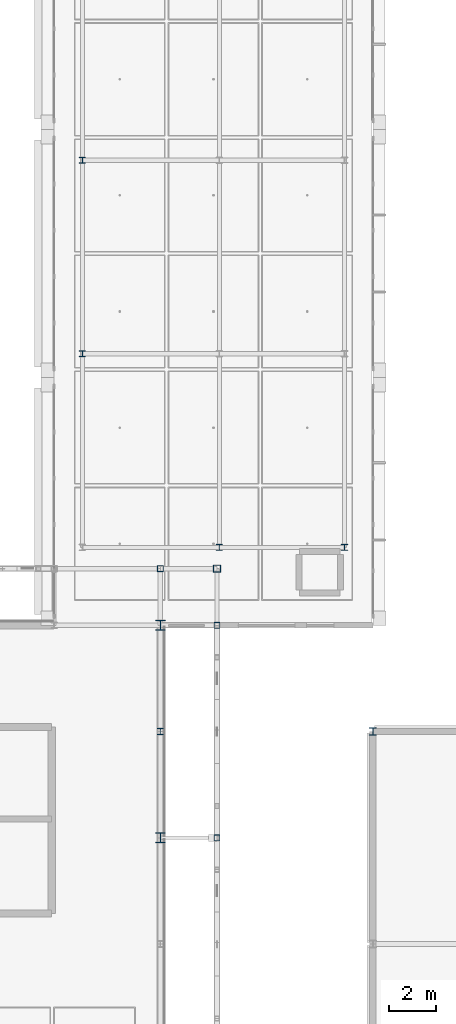
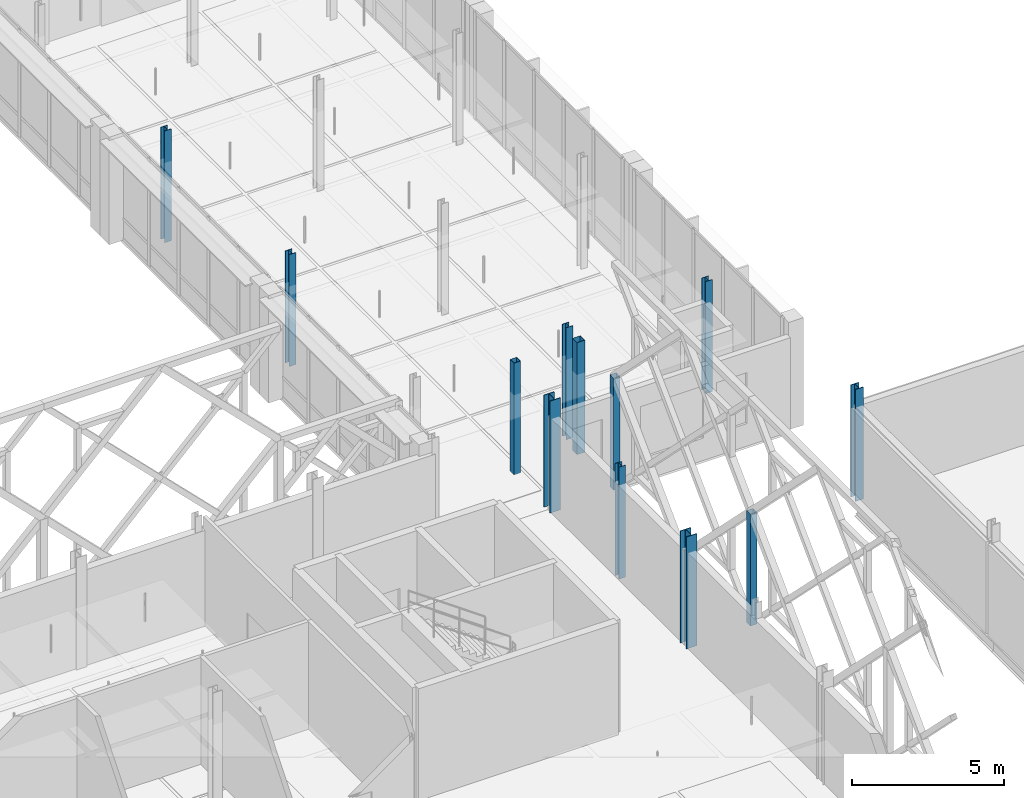
# One storey, part 10 of 140: 12 columns.
"""IFC4 building model written with IfcOpenShell, lengths in metres."""

from ifc_helpers import new_model, si_unit, direction, frame, origin, origin_2d, place, context, subcontext, project, spatial, hollow_rectangle, i_section, extrude, material, material_profile, profile_set, type_object, element, save


model = new_model("IFC4")

# Units and contexts
model_context = context("Model", 3, precision=1e-05, world=origin(), true_north=direction((0.0, 1.0)))
body_context = subcontext(model_context, "Body", "Model", "MODEL_VIEW")
ifc_project = project(units=[si_unit("LENGTHUNIT", "METRE"), si_unit("AREAUNIT", "SQUARE_METRE"), si_unit("VOLUMEUNIT", "CUBIC_METRE"), si_unit("PLANEANGLEUNIT", "RADIAN"), si_unit("MASSUNIT", "GRAM", prefix="KILO"), si_unit("THERMODYNAMICTEMPERATUREUNIT", "KELVIN"), si_unit("POWERUNIT", "WATT")], contexts=[model_context])

# Site, building, storey
site_placement = place(None, origin())
site = spatial("IfcSite", under=ifc_project, at=site_placement, CompositionType="ELEMENT")
building_placement = place(site_placement, origin())
building = spatial("IfcBuilding", under=site, at=building_placement, Name="Tallowbark Science Centre", CompositionType="ELEMENT")
storey_placement = place(building_placement, frame((0.0, 0.0, 9.89990234375)))
storey = spatial("IfcBuildingStorey", under=building, at=storey_placement, Name="L02", CompositionType="ELEMENT", Elevation=9.89990234375)

# Columns
ifc_material_1 = material(Name="White Architectural Painted Steel Grade C350L0 (350 MPa)", Category="steel")
ifc_material_profile_1 = material_profile(ifc_material_1, hollow_rectangle(XDim=0.25, YDim=0.25, WallThickness=0.009033203125, at=origin_2d()), Name="250x250x9.0SHS")
ifc_profile_set_1 = profile_set([ifc_material_profile_1], Name="White Architectural Painted Steel Grade C350L0 (350 MPa)")
column_type_1 = type_object("IfcColumnType", Name="COL-SCR200", PredefinedType="COLUMN", material=ifc_profile_set_1)
for number, where, z_axis, x_axis, name in (
    (1, (103.5, 42.89990234375, 0.0), (0.0, 0.0, 1.0), (1.0, 0.0, 0.0), "Column SCR-N06 L02"),
    (2, (105.89990234375, 31.5, 0.0), (0.0, 0.0, 1.0), (1.0, 0.0, 0.0), "Column SCR-E04 L02"),
    (3, (105.89990234375, 40.5, 0.0), (0.0, 0.0, 1.0), (1.0, 0.0, 0.0), "Column SCR-E05 L02"),
):
    element("IfcColumn", number, at=place(storey_placement, frame(where, z_axis=z_axis, x_axis=x_axis)), inside=storey, type_object=column_type_1, Name=name, PredefinedType="COLUMN", context=body_context, shape_type="SweptSolid", body=[
        extrude(hollow_rectangle(XDim=0.25, YDim=0.25, WallThickness=0.009033203125, at=origin_2d()), origin(), (0.0, 0.0, 1.0), 4.5),
    ])
ifc_material_profile_2 = material_profile(ifc_material_1, hollow_rectangle(XDim=0.300048828125, YDim=0.300048828125, WallThickness=0.010009765625, at=origin_2d()), Name="300x300x10.0SHS")
ifc_profile_set_2 = profile_set([ifc_material_profile_2], Name="White Architectural Painted Steel Grade C350L0 (350 MPa)")
column_type_2 = type_object("IfcColumnType", Name="COL-SCR300", PredefinedType="COLUMN", material=ifc_profile_set_2)
column_1_placement = place(storey_placement, frame((105.89990234375, 42.89990234375, 0.0), z_axis=(0.0, 0.0, 1.0), x_axis=(1.0, 0.0, 0.0)))
element("IfcColumn", 4, at=column_1_placement, inside=storey, type_object=column_type_2, Name="Column SCR-N07 L02", PredefinedType="COLUMN", context=body_context, shape_type="SweptSolid", body=[
    extrude(hollow_rectangle(XDim=0.300048828125, YDim=0.300048828125, WallThickness=0.010009765625, at=origin_2d()), origin(), (0.0, 0.0, 1.0), 4.5),
])
ifc_material_2 = material(Name="Structural Steel Grade 300PLUS (300 MPa)", Category="steel")
ifc_material_profile_3 = material_profile(ifc_material_2, i_section(OverallWidth=0.256103515625, OverallDepth=0.260009765625, WebThickness=0.010498046875, FlangeThickness=0.017333984375, FilletRadius=0.013916015625, at=origin_2d()), Name="250UC89.5")
ifc_profile_set_3 = profile_set([ifc_material_profile_3], Name="Structural Steel Grade 300PLUS (300 MPa)")
column_type_3 = type_object("IfcColumnType", Name="COL-UC250A", PredefinedType="COLUMN", material=ifc_profile_set_3)
for number, where, z_axis, x_axis, name in (
    (5, (100.199951171875, 52.0, 0.0), (0.0, 0.0, 1.0), (1.0, 0.0, 0.0), "Column LNK-0_1 L02"),
    (6, (100.199951171875, 60.199951171875, 0.0), (0.0, 0.0, 1.0), (1.0, 0.0, 0.0), "Column LNK-0_2 L02"),
    (7, (106.0, 43.800048828125, 0.0), (0.0, 0.0, 1.0), (1.0, 0.0, 0.0), "Column LNK-1_0 L02"),
    (8, (111.300048828125, 43.800048828125, 0.0), (0.0, 0.0, 1.0), (1.0, 0.0, 0.0), "Column LNK-2_0 L02"),
):
    element("IfcColumn", number, at=place(storey_placement, frame(where, z_axis=z_axis, x_axis=x_axis)), inside=storey, type_object=column_type_3, Name=name, PredefinedType="COLUMN", context=body_context, shape_type="SweptSolid", body=[
        extrude(i_section(OverallWidth=0.256103515625, OverallDepth=0.260009765625, WebThickness=0.010498046875, FlangeThickness=0.017333984375, FilletRadius=0.013916015625, at=origin_2d()), origin(), (0.0, 0.0, 1.0), 4.5),
    ])
ifc_material_profile_4 = material_profile(ifc_material_2, i_section(OverallWidth=0.30908203125, OverallDepth=0.320556640625, WebThickness=0.013916015625, FlangeThickness=0.021728515625, FilletRadius=0.0166015625, at=origin_2d()), Name="310UC137")
ifc_profile_set_4 = profile_set([ifc_material_profile_4], Name="Structural Steel Grade 300PLUS (300 MPa)")
column_type_4 = type_object("IfcColumnType", Name="COL-UC310B", PredefinedType="COLUMN", material=ifc_profile_set_4)
column_2_placement = place(storey_placement, frame((112.5, 36.0, 0.0), z_axis=(0.0, 0.0, 1.0), x_axis=(1.0, 0.0, 0.0)))
element("IfcColumn", 9, at=column_2_placement, inside=storey, type_object=column_type_4, Name="Column THT-M0_4 L02", PredefinedType="COLUMN", context=body_context, shape_type="SweptSolid", body=[
    extrude(i_section(OverallWidth=0.30908203125, OverallDepth=0.320556640625, WebThickness=0.013916015625, FlangeThickness=0.021728515625, FilletRadius=0.0166015625, at=origin_2d()), origin(), (0.0, 0.0, 1.0), 4.5),
])
ifc_material_profile_5 = material_profile(ifc_material_2, i_section(OverallWidth=0.39990234375, OverallDepth=0.427978515625, WebThickness=0.02001953125, FlangeThickness=0.028076171875, FilletRadius=0.01611328125, at=origin_2d()), Name="400WC270")
ifc_profile_set_5 = profile_set([ifc_material_profile_5], Name="Structural Steel Grade 300PLUS (300 MPa)")
column_type_5 = type_object("IfcColumnType", Name="COL-WC400", PredefinedType="COLUMN", material=ifc_profile_set_5)
for number, where, z_axis, x_axis, name in (
    (10, (103.5, 31.5, 0.0), (0.0, 0.0, 1.0), (1.0, 0.0, 0.0), "Column CUB-M5_3 L02"),
    (11, (103.5, 40.5, 0.0), (0.0, 0.0, 1.0), (1.0, 0.0, 0.0), "Column CUB-M5_4 L02"),
):
    element("IfcColumn", number, at=place(storey_placement, frame(where, z_axis=z_axis, x_axis=x_axis)), inside=storey, type_object=column_type_5, Name=name, PredefinedType="COLUMN", context=body_context, shape_type="SweptSolid", body=[
        extrude(i_section(OverallWidth=0.39990234375, OverallDepth=0.427978515625, WebThickness=0.02001953125, FlangeThickness=0.028076171875, FilletRadius=0.01611328125, at=origin_2d()), origin(), (0.0, 0.0, 1.0), 4.5),
    ])
ifc_material_profile_6 = material_profile(ifc_material_2, i_section(OverallWidth=0.256103515625, OverallDepth=0.260009765625, WebThickness=0.010498046875, FlangeThickness=0.017333984375, FilletRadius=0.013916015625, at=origin_2d()), Name="250UC89.5")
ifc_profile_set_6 = profile_set([ifc_material_profile_6], Name="Structural Steel Grade 300PLUS (300 MPa)")
column_type_6 = type_object("IfcColumnType", Name="PIL-UC250", PredefinedType="PILASTER", material=ifc_profile_set_6)
column_3_placement = place(storey_placement, frame((103.5, 36.0, 0.0), z_axis=(0.0, 0.0, 1.0), x_axis=(1.0, 0.0, 0.0)))
element("IfcColumn", 12, at=column_3_placement, inside=storey, type_object=column_type_6, Name="Column CUB-PE-3 L02", PredefinedType="PILASTER", context=body_context, shape_type="SweptSolid", body=[
    extrude(i_section(OverallWidth=0.256103515625, OverallDepth=0.260009765625, WebThickness=0.010498046875, FlangeThickness=0.017333984375, FilletRadius=0.013916015625, at=origin_2d()), origin(), (0.0, 0.0, 1.0), 4.5),
])

save(model, "model.ifc")
